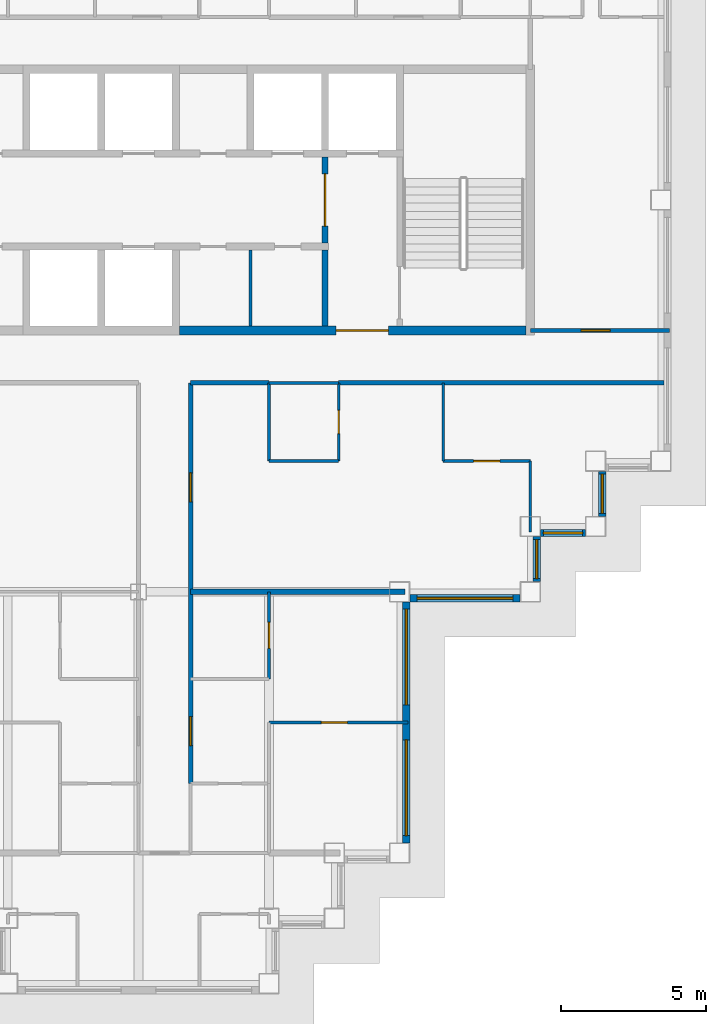
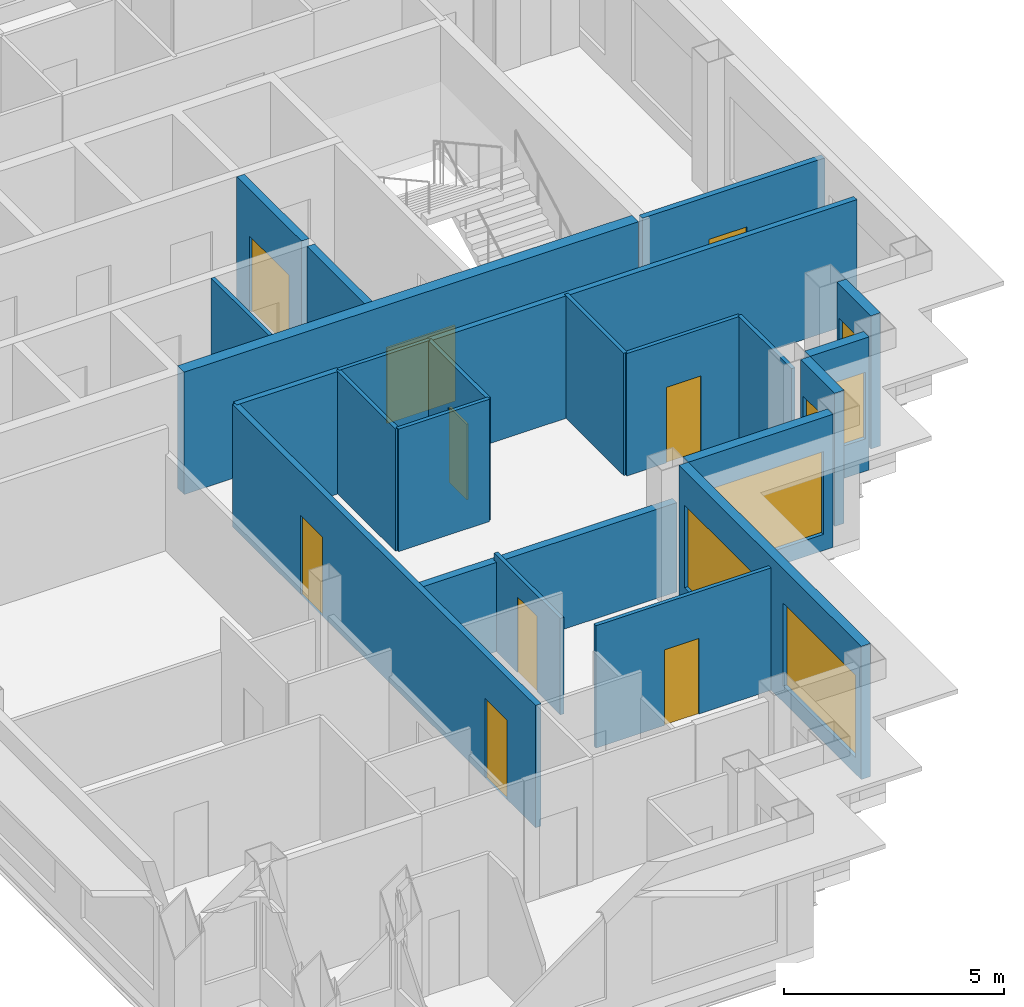
# One storey, part 5 of 12: 23 walls, 9 doors, 6 windows, 15 openings.
"""IFC4 building model written with IfcOpenShell, lengths in metres."""

import ifcopenshell
import ifcopenshell.guid

model = None  # the IFC model being written
_history = None  # IfcOwnerHistory: only IFC2X3 demands one
_inside = {}  # id of a spatial element -> (the spatial element, [elements in it])
_under = {}  # id of a project, library or spatial element -> (it, [spatial elements below it])
_declared = {}  # id of a project -> (the project, [libraries it declares])
_typed = {}  # id of a type object -> (the type object, [elements of that type])
_made_of = {}  # id of a material, layer set ... -> (it, [elements and type objects made of it])


def new_model(schema):
    """Start an empty IFC model of exactly this schema.

    Asked for "IFC4X3", IfcOpenShell would pick the latest addendum, in which some entities
    have other attributes; the version numbers below select the first issue.
    IFC2X3 requires an IfcOwnerHistory on every rooted entity: one is made here for all.
    """
    global model, _history
    if schema == "IFC4X3":
        model = ifcopenshell.file(schema_version=(4, 3, 0, 0))
    else:
        model = ifcopenshell.file(schema=schema)
    _inside.clear()
    _under.clear()
    _declared.clear()
    _typed.clear()
    _made_of.clear()
    _history = None
    if model.schema == "IFC2X3":
        org = make("IfcOrganization", Name="unknown")
        user = make(
            "IfcPersonAndOrganization",
            ThePerson=make("IfcPerson", FamilyName="unknown"),
            TheOrganization=org,
        )
        app = make(
            "IfcApplication",
            ApplicationDeveloper=org,
            Version="unknown",
            ApplicationFullName="unknown",
            ApplicationIdentifier="unknown",
        )
        _history = make(
            "IfcOwnerHistory",
            OwningUser=user,
            OwningApplication=app,
            ChangeAction="ADDED",
            CreationDate=0,
        )
    return model


def make(cls, **values):
    """One entity of the class cls with the attributes given. An attribute that is None is left unset."""
    return model.create_entity(
        cls, **{name: value for name, value in values.items() if value is not None}
    )


def rooted(cls, **values):
    """An entity with a GlobalId (a new one), such as an element, a storey or a relation."""
    return make(cls, GlobalId=ifcopenshell.guid.new(), OwnerHistory=_history, **values)


def si_unit(unit_type, name, prefix=None):
    """IfcSIUnit, for example si_unit("LENGTHUNIT", "METRE", prefix="MILLI")."""
    return make("IfcSIUnit", UnitType=unit_type, Prefix=prefix, Name=name)


def assignment(units):
    """IfcUnitAssignment: the units of a project."""
    return None if units is None else make("IfcUnitAssignment", Units=units)


def point(xyz):
    """IfcCartesianPoint."""
    return None if xyz is None else make("IfcCartesianPoint", Coordinates=xyz)


def direction(xyz):
    """IfcDirection."""
    return None if xyz is None else make("IfcDirection", DirectionRatios=xyz)


def frame(location, z_axis=None, x_axis=None):
    """IfcAxis2Placement3D, a coordinate frame: its origin and axes. An axis left out is left unset."""
    return make(
        "IfcAxis2Placement3D",
        Location=point(location),
        Axis=direction(z_axis),
        RefDirection=direction(x_axis),
    )


def frame_2d(location, x_axis=None):
    """IfcAxis2Placement2D, a coordinate frame in the plane: its origin and x axis."""
    return make(
        "IfcAxis2Placement2D", Location=point(location), RefDirection=direction(x_axis)
    )


def origin():
    """The frame at (0, 0, 0) with its axes left unset."""
    return frame((0.0, 0.0, 0.0))


def place(relative_to, where):
    """IfcLocalPlacement: puts the frame where relative to a parent placement (None: the world)."""
    return make(
        "IfcLocalPlacement", PlacementRelTo=relative_to, RelativePlacement=where
    )


def context(
    kind, dimensions, precision=None, world=None, true_north=None, identifier=None
):
    """IfcGeometricRepresentationContext, for example the 3D "Model" context."""
    return make(
        "IfcGeometricRepresentationContext",
        ContextIdentifier=identifier,
        ContextType=kind,
        CoordinateSpaceDimension=dimensions,
        Precision=precision,
        WorldCoordinateSystem=world,
        TrueNorth=true_north,
    )


def subcontext(parent, identifier, kind, view, scale=None):
    """IfcGeometricRepresentationSubContext, for example "Body" below "Model"."""
    return make(
        "IfcGeometricRepresentationSubContext",
        ContextIdentifier=identifier,
        ContextType=kind,
        ParentContext=parent,
        TargetScale=scale,
        TargetView=view,
    )


def project(units=None, contexts=None):
    """IfcProject with its units and contexts."""
    return rooted(
        "IfcProject",
        Name="project",
        RepresentationContexts=contexts,
        UnitsInContext=assignment(units),
    )


def spatial(cls, under=None, at=None, **own):
    """A site, building, storey or space (cls), placed at a placement, below another one or the project."""
    s = rooted(cls, ObjectPlacement=at, **own)
    if under is not None:
        _under.setdefault(under.id(), (under, []))[1].append(s)
    return s


def profile(cls, at=None, kind="AREA", **sizes):
    """A parametric profile (cls). Its sizes go by their IFC names, for example OverallWidth=200.0."""
    return make(cls, ProfileType=kind, Position=at, **sizes)


def rectangle(**sizes):
    """IfcRectangleProfileDef."""
    return profile("IfcRectangleProfileDef", **sizes)


def extrude(swept, where, along, depth):
    """IfcExtrudedAreaSolid: the profile swept, set in the frame where, extruded along a direction by depth."""
    return make(
        "IfcExtrudedAreaSolid",
        SweptArea=swept,
        Position=where,
        ExtrudedDirection=direction(along),
        Depth=depth,
    )


def shape(context_of_items, identifier, shape_type, items):
    """IfcShapeRepresentation: the items that make up one representation, for example the "Body"."""
    return make(
        "IfcShapeRepresentation",
        ContextOfItems=context_of_items,
        RepresentationIdentifier=identifier,
        RepresentationType=shape_type,
        Items=items,
    )


def material(Name=None, Category=None):
    """IfcMaterial."""
    return make("IfcMaterial", Name=Name, Category=Category)


def layer(
    of_material, thickness, ventilated=None, Name=None, Category=None, Priority=None
):
    """IfcMaterialLayer: one layer of a wall or slab, of a material (None: an air gap)."""
    return make(
        "IfcMaterialLayer",
        Material=of_material,
        LayerThickness=thickness,
        IsVentilated=ventilated,
        Name=Name,
        Category=Category,
        Priority=Priority,
    )


def layer_set(layers, Name=None):
    """IfcMaterialLayerSet."""
    return make("IfcMaterialLayerSet", MaterialLayers=layers, LayerSetName=Name)


def made_of(thing, what):
    """Note that an element or type object is made of a material, layer set ...; save() writes the relation."""
    if what is not None:
        _made_of.setdefault(what.id(), (what, []))[1].append(thing)
    return thing


def type_object(cls, material=None, **own):
    """A type object (cls), such as IfcWallType, which elements share."""
    return made_of(rooted(cls, **own), material)


def element(
    cls,
    number,
    at=None,
    inside=None,
    cuts=None,
    type_object=None,
    material=None,
    context=None,
    identifier="Body",
    shape_type=None,
    held_by="IfcProductDefinitionShape",
    body=None,
    shapes=None,
    **own,
):
    """One element of the class cls, such as IfcWall. Its Tag is "e" and its number.

    at: its placement. inside: the storey or other place that contains it. cuts: it is an
    opening in that element (IfcRelVoidsElement). A single representation is given by context,
    identifier, shape_type and body (its items); several are given by shapes. held_by: the class
    of the entity that holds the representations. save() writes the other relations.
    """
    e = rooted(cls, Tag="e%d" % number, ObjectPlacement=at, **own)
    if body is not None:
        shapes = [shape(context, identifier, shape_type, body)]
    if shapes is not None:
        e.Representation = make(held_by, Representations=shapes)
    if inside is not None:
        _inside.setdefault(inside.id(), (inside, []))[1].append(e)
    if cuts is not None:
        rooted(
            "IfcRelVoidsElement", RelatingBuildingElement=cuts, RelatedOpeningElement=e
        )
    if type_object is not None:
        _typed.setdefault(type_object.id(), (type_object, []))[1].append(e)
    return made_of(e, material)


def fill(opening, filler):
    """IfcRelFillsElement: the door or window that sits in an opening."""
    return rooted(
        "IfcRelFillsElement",
        RelatingOpeningElement=opening,
        RelatedBuildingElement=filler,
    )


def aggregate(whole, parts):
    """IfcRelAggregates: a whole, such as a stair, and the parts it consists of."""
    return rooted("IfcRelAggregates", RelatingObject=whole, RelatedObjects=parts)


def save(model, path):
    """Write the relations noted so far, then the file.

    IfcRelAggregates (storeys below a building ...), IfcRelContainedInSpatialStructure (elements
    in a storey), IfcRelDefinesByType, IfcRelAssociatesMaterial and IfcRelDeclares: one each for
    every whole, place, type object, material and project.
    """
    for whole, parts in _under.values():
        aggregate(whole, parts)
    for where, things in _inside.values():
        rooted(
            "IfcRelContainedInSpatialStructure",
            RelatedElements=things,
            RelatingStructure=where,
        )
    for kind, things in _typed.values():
        rooted("IfcRelDefinesByType", RelatedObjects=things, RelatingType=kind)
    for what, things in _made_of.values():
        rooted("IfcRelAssociatesMaterial", RelatedObjects=things, RelatingMaterial=what)
    for by, libraries in _declared.values():
        rooted("IfcRelDeclares", RelatingContext=by, RelatedDefinitions=libraries)
    model.write(path)


model = new_model("IFC4")

# Units and contexts
model_context = context("Model", 3, precision=1e-05, world=origin(), true_north=direction((0.0, 1.0)))
body_context = subcontext(model_context, "Body", "Model", "MODEL_VIEW")
ifc_project = project(units=[si_unit("LENGTHUNIT", "METRE"), si_unit("AREAUNIT", "SQUARE_METRE"), si_unit("VOLUMEUNIT", "CUBIC_METRE"), si_unit("PLANEANGLEUNIT", "RADIAN"), si_unit("MASSUNIT", "GRAM", prefix="KILO")], contexts=[model_context])

# Site, building, storey
site_placement = place(None, origin())
site = spatial("IfcSite", under=ifc_project, at=site_placement, CompositionType="ELEMENT")
building_placement = place(site_placement, origin())
building = spatial("IfcBuilding", under=site, at=building_placement, Name="Caravel Reach Hotel and Residences", CompositionType="ELEMENT")
storey_placement = place(building_placement, frame((0.0, 0.0, 196.10009765625)))
storey = spatial("IfcBuildingStorey", under=building, at=storey_placement, Name="L49", CompositionType="ELEMENT", Elevation=196.10009765625)

# Walls
ifc_material_1 = material(Name="Gypsum board on steel stud", Category="steel")
ifc_layer_1 = layer(ifc_material_1, 0.10009765625)
ifc_layer_set_1 = layer_set([ifc_layer_1], Name="Bathroom pod wall 100 mm")
wall_type_1 = type_object("IfcWallType", Name="Bathroom pod wall 100 mm", PredefinedType="PARTITIONING", material=ifc_layer_set_1)
for number, where, z_axis, x_axis, name in (
    (1, (36.0, 18.0, 0.0), (0.0, 0.0, 1.0), (1.0, 0.0, 0.0), "L49 wall w077"),
    (2, (36.0, 20.699951171875, 0.0), (0.0, 0.0, 1.0), (1.0, 0.0, 0.0), "L49 wall w079"),
):
    element("IfcWall", number, at=place(storey_placement, frame(where, z_axis=z_axis, x_axis=x_axis)), inside=storey, type_object=wall_type_1, Name=name, PredefinedType="PARTITIONING", context=body_context, shape_type="SweptSolid", body=[
        extrude(rectangle(XDim=2.39990234375, YDim=0.10009765625, at=frame_2d((1.199951171875, 0.0))), origin(), (0.0, 0.0, 1.0), 3.39990234375),
    ])
wall_1_placement = place(storey_placement, frame((36.0, 18.0, 0.0), z_axis=(0.0, 0.0, 1.0), x_axis=(0.0, 1.0, 0.0)))
element("IfcWall", 3, at=wall_1_placement, inside=storey, type_object=wall_type_1, Name="L49 wall w101", PredefinedType="PARTITIONING", context=body_context, shape_type="SweptSolid", body=[
    extrude(rectangle(XDim=2.698974609375, YDim=0.10009765625, at=frame_2d((1.349609375, 0.0))), origin(), (0.0, 0.0, 1.0), 3.39990234375),
])

# Wall, opening, door
wall_2_placement = place(storey_placement, frame((38.39990234375, 18.0, 0.0), z_axis=(0.0, 0.0, 1.0), x_axis=(0.0, 1.0, 0.0)))
wall_2 = element("IfcWall", 4, at=wall_2_placement, inside=storey, type_object=wall_type_1, Name="L49 wall w102", PredefinedType="PARTITIONING", context=body_context, shape_type="SweptSolid", body=[
    extrude(rectangle(XDim=2.699951171875, YDim=0.10009765625, at=frame_2d((1.35009765625, 0.0))), origin(), (0.0, 0.0, 1.0), 3.39990234375),
])
opening_1_placement = place(wall_2_placement, frame((0.949951171875, 0.0, 0.0)))
opening_1 = element("IfcOpeningElement", 5, at=opening_1_placement, cuts=wall_2, Name="Opening D49-033", PredefinedType="OPENING", context=body_context, shape_type="SweptSolid", body=[
    extrude(rectangle(XDim=0.800048828125, YDim=2.10009765625, at=frame_2d((0.39990234375, 1.050048828125))), frame((0.0, 0.06005859375, 0.0), z_axis=(0.0, -1.0, 0.0), x_axis=(1.0, 0.0, 0.0)), (0.0, 0.0, 1.0), 0.1201171875),
])
ifc_material_2 = material(Name="Timber and steel door leaf", Category="steel")
door_type_1 = type_object("IfcDoorType", Name="Bathroom door 800 x 2100", OperationType="SINGLE_SWING_LEFT", PredefinedType="DOOR", material=ifc_material_2)
door_1_placement = place(opening_1_placement, origin())
door_1 = element("IfcDoor", 6, at=door_1_placement, inside=storey, type_object=door_type_1, Name="door D49-033", OperationType="SINGLE_SWING_LEFT", OverallHeight=2.10009765625, OverallWidth=0.800048828125, PredefinedType="DOOR", context=body_context, shape_type="SweptSolid", body=[
    extrude(rectangle(XDim=0.800048828125, YDim=2.10009765625, at=frame_2d((0.39990234375, 1.050048828125))), frame((0.0, 0.02490234375, 0.0), z_axis=(0.0, -1.0, 0.0), x_axis=(1.0, 0.0, 0.0)), (0.0, 0.0, 1.0), 0.050048828125),
])
fill(opening_1, door_1)

# Wall
ifc_material_3 = material(Name="Autoclaved aerated block wall")
ifc_layer_2 = layer(ifc_material_3, 0.199951171875)
ifc_layer_set_2 = layer_set([ifc_layer_2], Name="Compartment wall 200 mm EI 120")
wall_type_2 = type_object("IfcWallType", Name="Compartment wall 200 mm EI 120", PredefinedType="PARTITIONING", material=ifc_layer_set_2)
wall_3_placement = place(storey_placement, frame((37.928466796875, 22.64990234375, 0.0), z_axis=(0.0, 0.0, 1.0), x_axis=(0.0, 1.0, 0.0)))
element("IfcWall", 7, at=wall_3_placement, inside=storey, type_object=wall_type_2, Name="L49 store partition", PredefinedType="PARTITIONING", context=body_context, shape_type="SweptSolid", body=[
    extrude(rectangle(XDim=2.625, YDim=0.199951171875, at=frame_2d((1.3125, 0.0))), origin(), (0.0, 0.0, 1.0), 3.39990234375),
])

# Wall, opening, door
ifc_material_4 = material(Name="Concrete C60", Category="concrete")
ifc_layer_3 = layer(ifc_material_4, 0.300048828125)
ifc_layer_set_3 = layer_set([ifc_layer_3], Name="Core wall 300 mm EI 120")
wall_type_3 = type_object("IfcWallType", Name="Core wall 300 mm EI 120", PredefinedType="SHEAR", material=ifc_layer_set_3)
wall_4_placement = place(storey_placement, frame((32.91064453125, 22.5, 0.0), z_axis=(0.0, 0.0, 1.0), x_axis=(1.0, 0.0, 0.0)))
wall_4 = element("IfcWall", 8, at=wall_4_placement, inside=storey, type_object=wall_type_3, Name="L49 core wall S3", PredefinedType="SHEAR", context=body_context, shape_type="SweptSolid", body=[
    extrude(rectangle(XDim=11.939453125, YDim=0.300048828125, at=frame_2d((5.9697265625, 0.0))), origin(), (0.0, 0.0, 1.0), 3.39990234375),
])
opening_2_placement = place(wall_4_placement, frame((5.403564453125, 0.0, 0.0)))
opening_2 = element("IfcOpeningElement", 9, at=opening_2_placement, cuts=wall_4, Name="Opening D49-016", PredefinedType="OPENING", context=body_context, shape_type="SweptSolid", body=[
    extrude(rectangle(XDim=1.800048828125, YDim=2.10009765625, at=frame_2d((0.89990234375, 1.050048828125))), frame((0.0, 0.159912109375, 0.0), z_axis=(0.0, -1.0, 0.0), x_axis=(1.0, 0.0, 0.0)), (0.0, 0.0, 1.0), 0.320068359375),
])
ifc_material_5 = material(Name="Steel fire door leaf", Category="steel")
door_type_2 = type_object("IfcDoorType", Name="Fire lobby door pair 1800 x 2100 EI 90", OperationType="DOUBLE_DOOR_SINGLE_SWING", PredefinedType="DOOR", material=ifc_material_5)
door_2_placement = place(opening_2_placement, origin())
door_2 = element("IfcDoor", 10, at=door_2_placement, inside=storey, type_object=door_type_2, Name="lobby S door pair to corridor", OperationType="DOUBLE_DOOR_SINGLE_SWING", OverallHeight=2.10009765625, OverallWidth=1.800048828125, PredefinedType="DOOR", context=body_context, shape_type="SweptSolid", body=[
    extrude(rectangle(XDim=1.800048828125, YDim=2.10009765625, at=frame_2d((0.89990234375, 1.050048828125))), frame((0.0, 0.02490234375, 0.0), z_axis=(0.0, -1.0, 0.0), x_axis=(1.0, 0.0, 0.0)), (0.0, 0.0, 1.0), 0.050048828125),
])
fill(opening_2, door_2)

# Walls
ifc_material_6 = material(Name="Gypsum board on steel stud, fire-rated", Category="steel")
ifc_layer_4 = layer(ifc_material_6, 0.14990234375)
ifc_layer_set_4 = layer_set([ifc_layer_4], Name="Corridor wall 150 mm EI 60")
wall_type_4 = type_object("IfcWallType", Name="Corridor wall 150 mm EI 60", PredefinedType="PARTITIONING", material=ifc_layer_set_4)
wall_5_placement = place(storey_placement, frame((33.301025390625, 20.699951171875, 0.0), z_axis=(0.0, 0.0, 1.0), x_axis=(1.0, 0.0, 0.0)))
element("IfcWall", 11, at=wall_5_placement, inside=storey, type_object=wall_type_4, Name="L49 wall w001", PredefinedType="PARTITIONING", context=body_context, shape_type="SweptSolid", body=[
    extrude(rectangle(XDim=2.697998046875, YDim=0.14990234375, at=frame_2d((1.34912109375, 0.0))), origin(), (0.0, 0.0, 1.0), 3.39990234375),
])
wall_6_placement = place(storey_placement, frame((38.39990234375, 20.699951171875, 0.0), z_axis=(0.0, 0.0, 1.0), x_axis=(1.0, 0.0, 0.0)))
element("IfcWall", 12, at=wall_6_placement, inside=storey, type_object=wall_type_4, Name="L49 wall w002", PredefinedType="PARTITIONING", context=body_context, shape_type="SweptSolid", body=[
    extrude(rectangle(XDim=11.2001953125, YDim=0.14990234375, at=frame_2d((5.60009765625, 0.0))), origin(), (0.0, 0.0, 1.0), 3.39990234375),
])

# Wall, opening, door
wall_7_placement = place(storey_placement, frame((45.0, 22.5, 0.0), z_axis=(0.0, 0.0, 1.0), x_axis=(1.0, 0.0, 0.0)))
wall_7 = element("IfcWall", 13, at=wall_7_placement, inside=storey, type_object=wall_type_4, Name="L49 wall w006", PredefinedType="PARTITIONING", context=body_context, shape_type="SweptSolid", body=[
    extrude(rectangle(XDim=4.7900390625, YDim=0.14990234375, at=frame_2d((2.39501953125, 0.0))), origin(), (0.0, 0.0, 1.0), 3.39990234375),
])
opening_3_placement = place(wall_7_placement, frame((1.75, 0.0, 0.0)))
opening_3 = element("IfcOpeningElement", 14, at=opening_3_placement, cuts=wall_7, Name="Opening D49-046", PredefinedType="OPENING", context=body_context, shape_type="SweptSolid", body=[
    extrude(rectangle(XDim=1.0, YDim=2.199951171875, at=frame_2d((0.5, 1.10009765625))), frame((0.0, 0.0849609375, 0.0), z_axis=(0.0, -1.0, 0.0), x_axis=(1.0, 0.0, 0.0)), (0.0, 0.0, 1.0), 0.169921875),
])
ifc_material_7 = material(Name="Steel fire door leaf", Category="steel")
door_type_3 = type_object("IfcDoorType", Name="Flat entrance door 1000 x 2200 EI 60", OperationType="SINGLE_SWING_LEFT", PredefinedType="DOOR", material=ifc_material_7)
door_3_placement = place(opening_3_placement, origin())
door_3 = element("IfcDoor", 15, at=door_3_placement, inside=storey, type_object=door_type_3, Name="door D49-046", OperationType="SINGLE_SWING_LEFT", OverallHeight=2.199951171875, OverallWidth=1.0, PredefinedType="DOOR", context=body_context, shape_type="SweptSolid", body=[
    extrude(rectangle(XDim=1.0, YDim=2.199951171875, at=frame_2d((0.5, 1.10009765625))), frame((0.0, 0.02490234375, 0.0), z_axis=(0.0, -1.0, 0.0), x_axis=(1.0, 0.0, 0.0)), (0.0, 0.0, 1.0), 0.050048828125),
])
fill(opening_3, door_3)

# Wall, openings, doors
wall_8_placement = place(storey_placement, frame((33.300048828125, 6.89990234375, 0.0), z_axis=(0.0, 0.0, 1.0), x_axis=(0.0, 1.0, 0.0)))
wall_8 = element("IfcWall", 16, at=wall_8_placement, inside=storey, type_object=wall_type_4, Name="L49 wall w023", PredefinedType="PARTITIONING", context=body_context, shape_type="SweptSolid", body=[
    extrude(rectangle(XDim=13.799072265625, YDim=0.14990234375, at=frame_2d((6.8994140625, 0.0))), origin(), (0.0, 0.0, 1.0), 3.39990234375),
])
opening_4_placement = place(wall_8_placement, frame((9.69921875, 0.0, 0.0)))
opening_4 = element("IfcOpeningElement", 17, at=opening_4_placement, cuts=wall_8, Name="Opening D49-032", PredefinedType="OPENING", context=body_context, shape_type="SweptSolid", body=[
    extrude(rectangle(XDim=1.0, YDim=2.199951171875, at=frame_2d((0.5, 1.10009765625))), frame((0.0, 0.0849609375, 0.0), z_axis=(0.0, -1.0, 0.0), x_axis=(1.0, 0.0, 0.0)), (0.0, 0.0, 1.0), 0.169921875),
])
opening_5_placement = place(wall_8_placement, frame((1.300048828125, 0.0, 0.0)))
opening_5 = element("IfcOpeningElement", 18, at=opening_5_placement, cuts=wall_8, Name="Opening D49-039", PredefinedType="OPENING", context=body_context, shape_type="SweptSolid", body=[
    extrude(rectangle(XDim=1.0, YDim=2.199951171875, at=frame_2d((0.5, 1.10009765625))), frame((0.0, 0.0849609375, 0.0), z_axis=(0.0, -1.0, 0.0), x_axis=(1.0, 0.0, 0.0)), (0.0, 0.0, 1.0), 0.169921875),
])
door_4_placement = place(opening_4_placement, origin())
door_4 = element("IfcDoor", 19, at=door_4_placement, inside=storey, type_object=door_type_3, Name="door D49-032", OperationType="SINGLE_SWING_LEFT", OverallHeight=2.199951171875, OverallWidth=1.0, PredefinedType="DOOR", context=body_context, shape_type="SweptSolid", body=[
    extrude(rectangle(XDim=1.0, YDim=2.199951171875, at=frame_2d((0.5, 1.10009765625))), frame((0.0, 0.02490234375, 0.0), z_axis=(0.0, -1.0, 0.0), x_axis=(1.0, 0.0, 0.0)), (0.0, 0.0, 1.0), 0.050048828125),
])
fill(opening_4, door_4)
door_5_placement = place(opening_5_placement, origin())
door_5 = element("IfcDoor", 20, at=door_5_placement, inside=storey, type_object=door_type_3, Name="door D49-039", OperationType="SINGLE_SWING_LEFT", OverallHeight=2.199951171875, OverallWidth=1.0, PredefinedType="DOOR", context=body_context, shape_type="SweptSolid", body=[
    extrude(rectangle(XDim=1.0, YDim=2.199951171875, at=frame_2d((0.5, 1.10009765625))), frame((0.0, 0.02490234375, 0.0), z_axis=(0.0, -1.0, 0.0), x_axis=(1.0, 0.0, 0.0)), (0.0, 0.0, 1.0), 0.050048828125),
])
fill(opening_5, door_5)

# Wall, opening, window
ifc_material_8 = material(Name="Insulated rainscreen wall, aluminium cladding", Category="aluminium")
ifc_layer_5 = layer(ifc_material_8, 0.25)
ifc_layer_set_5 = layer_set([ifc_layer_5], Name="EW1 Tower rainscreen wall")
wall_type_5 = type_object("IfcWallType", Name="EW1 Tower rainscreen wall", PredefinedType="SOLIDWALL", material=ifc_layer_set_5)
wall_9_placement = place(storey_placement, frame((40.85009765625, 13.27490234375, 0.0), z_axis=(0.0, 0.0, 1.0), x_axis=(1.0, 0.0, 0.0)))
wall_9 = element("IfcWall", 21, at=wall_9_placement, inside=storey, type_object=wall_type_5, Name="External wall L49 S1.1", PredefinedType="SOLIDWALL", context=body_context, shape_type="SweptSolid", body=[
    extrude(rectangle(XDim=3.7998046875, YDim=0.25, at=frame_2d((1.89990234375, 0.0))), origin(), (0.0, 0.0, 1.0), 3.699951171875),
])
opening_6_placement = place(wall_9_placement, frame((0.25, 0.0, 0.449951171875)))
opening_6 = element("IfcOpeningElement", 22, at=opening_6_placement, cuts=wall_9, Name="Opening WN15", PredefinedType="OPENING", context=body_context, shape_type="SweptSolid", body=[
    extrude(rectangle(XDim=3.300048828125, YDim=2.300048828125, at=frame_2d((1.64990234375, 1.14990234375))), frame((0.0, 0.135009765625, 0.0), z_axis=(0.0, -1.0, 0.0), x_axis=(1.0, 0.0, 0.0)), (0.0, 0.0, 1.0), 0.27001953125),
])
ifc_material_9 = material(Name="Dark low-e glazing in black aluminium frame", Category="aluminium")
window_type_1 = type_object("IfcWindowType", Name="Residence living window 3300 x 2300", PartitioningType="SINGLE_PANEL", PredefinedType="WINDOW", material=ifc_material_9)
window_1_placement = place(opening_6_placement, origin())
window_1 = element("IfcWindow", 23, at=window_1_placement, inside=storey, type_object=window_type_1, Name="Window L49 S1.1.1", OverallHeight=2.300048828125, OverallWidth=3.300048828125, PartitioningType="SINGLE_PANEL", PredefinedType="WINDOW", context=body_context, shape_type="SweptSolid", body=[
    extrude(rectangle(XDim=3.300048828125, YDim=2.300048828125, at=frame_2d((1.64990234375, 1.14990234375))), frame((0.0, 0.030029296875, 0.0), z_axis=(0.0, -1.0, 0.0), x_axis=(1.0, 0.0, 0.0)), (0.0, 0.0, 1.0), 0.06005859375),
])
fill(opening_6, window_1)

wall_10_placement = place(storey_placement, frame((45.22509765625, 13.85009765625, 0.0), z_axis=(0.0, 0.0, 1.0), x_axis=(0.0, 1.0, 0.0)))
wall_10 = element("IfcWall", 24, at=wall_10_placement, inside=storey, type_object=wall_type_5, Name="External wall L49 E2.1", PredefinedType="SOLIDWALL", context=body_context, shape_type="SweptSolid", body=[
    extrude(rectangle(XDim=1.5498046875, YDim=0.25, at=frame_2d((0.77490234375, 0.0))), origin(), (0.0, 0.0, 1.0), 3.699951171875),
])
opening_7_placement = place(wall_10_placement, frame((0.10009765625, 0.0, 0.89990234375)))
opening_7 = element("IfcOpeningElement", 25, at=opening_7_placement, cuts=wall_10, Name="Opening WN21", PredefinedType="OPENING", context=body_context, shape_type="SweptSolid", body=[
    extrude(rectangle(XDim=1.35009765625, YDim=1.85009765625, at=frame_2d((0.675048828125, 0.925048828125))), frame((0.0, 0.135009765625, 0.0), z_axis=(0.0, -1.0, 0.0), x_axis=(1.0, 0.0, 0.0)), (0.0, 0.0, 1.0), 0.27001953125),
])
ifc_material_10 = material(Name="Dark low-e glazing in black aluminium frame", Category="aluminium")
window_type_2 = type_object("IfcWindowType", Name="Residence bedroom window 1350 x 1850", PartitioningType="SINGLE_PANEL", PredefinedType="WINDOW", material=ifc_material_10)
window_2_placement = place(opening_7_placement, origin())
window_2 = element("IfcWindow", 26, at=window_2_placement, inside=storey, type_object=window_type_2, Name="Window L49 E2.1.1", OverallHeight=1.85009765625, OverallWidth=1.35009765625, PartitioningType="SINGLE_PANEL", PredefinedType="WINDOW", context=body_context, shape_type="SweptSolid", body=[
    extrude(rectangle(XDim=1.35009765625, YDim=1.85009765625, at=frame_2d((0.675048828125, 0.925048828125))), frame((0.0, 0.030029296875, 0.0), z_axis=(0.0, -1.0, 0.0), x_axis=(1.0, 0.0, 0.0)), (0.0, 0.0, 1.0), 0.06005859375),
])
fill(opening_7, window_2)

wall_11_placement = place(storey_placement, frame((45.35009765625, 15.52490234375, 0.0), z_axis=(0.0, 0.0, 1.0), x_axis=(1.0, 0.0, 0.0)))
wall_11 = element("IfcWall", 27, at=wall_11_placement, inside=storey, type_object=wall_type_5, Name="External wall L49 S3.1", PredefinedType="SOLIDWALL", context=body_context, shape_type="SweptSolid", body=[
    extrude(rectangle(XDim=1.5498046875, YDim=0.25, at=frame_2d((0.77490234375, 0.0))), origin(), (0.0, 0.0, 1.0), 3.699951171875),
])
opening_8_placement = place(wall_11_placement, frame((0.10009765625, 0.0, 0.89990234375)))
opening_8 = element("IfcOpeningElement", 28, at=opening_8_placement, cuts=wall_11, Name="Opening WN21", PredefinedType="OPENING", context=body_context, shape_type="SweptSolid", body=[
    extrude(rectangle(XDim=1.35009765625, YDim=1.85009765625, at=frame_2d((0.675048828125, 0.925048828125))), frame((0.0, 0.135009765625, 0.0), z_axis=(0.0, -1.0, 0.0), x_axis=(1.0, 0.0, 0.0)), (0.0, 0.0, 1.0), 0.27001953125),
])
window_3_placement = place(opening_8_placement, origin())
window_3 = element("IfcWindow", 29, at=window_3_placement, inside=storey, type_object=window_type_2, Name="Window L49 S3.1.1", OverallHeight=1.85009765625, OverallWidth=1.35009765625, PartitioningType="SINGLE_PANEL", PredefinedType="WINDOW", context=body_context, shape_type="SweptSolid", body=[
    extrude(rectangle(XDim=1.35009765625, YDim=1.85009765625, at=frame_2d((0.675048828125, 0.925048828125))), frame((0.0, 0.030029296875, 0.0), z_axis=(0.0, -1.0, 0.0), x_axis=(1.0, 0.0, 0.0)), (0.0, 0.0, 1.0), 0.06005859375),
])
fill(opening_8, window_3)

wall_12_placement = place(storey_placement, frame((47.47509765625, 16.10009765625, 0.0), z_axis=(0.0, 0.0, 1.0), x_axis=(0.0, 1.0, 0.0)))
wall_12 = element("IfcWall", 30, at=wall_12_placement, inside=storey, type_object=wall_type_5, Name="External wall L49 E4.1", PredefinedType="SOLIDWALL", context=body_context, shape_type="SweptSolid", body=[
    extrude(rectangle(XDim=1.5498046875, YDim=0.25, at=frame_2d((0.77490234375, 0.0))), origin(), (0.0, 0.0, 1.0), 3.699951171875),
])
opening_9_placement = place(wall_12_placement, frame((0.10009765625, 0.0, 0.89990234375)))
opening_9 = element("IfcOpeningElement", 31, at=opening_9_placement, cuts=wall_12, Name="Opening WN21", PredefinedType="OPENING", context=body_context, shape_type="SweptSolid", body=[
    extrude(rectangle(XDim=1.35009765625, YDim=1.85009765625, at=frame_2d((0.675048828125, 0.925048828125))), frame((0.0, 0.135009765625, 0.0), z_axis=(0.0, -1.0, 0.0), x_axis=(1.0, 0.0, 0.0)), (0.0, 0.0, 1.0), 0.27001953125),
])
window_4_placement = place(opening_9_placement, origin())
window_4 = element("IfcWindow", 32, at=window_4_placement, inside=storey, type_object=window_type_2, Name="Window L49 E4.1.1", OverallHeight=1.85009765625, OverallWidth=1.35009765625, PartitioningType="SINGLE_PANEL", PredefinedType="WINDOW", context=body_context, shape_type="SweptSolid", body=[
    extrude(rectangle(XDim=1.35009765625, YDim=1.85009765625, at=frame_2d((0.675048828125, 0.925048828125))), frame((0.0, 0.030029296875, 0.0), z_axis=(0.0, -1.0, 0.0), x_axis=(1.0, 0.0, 0.0)), (0.0, 0.0, 1.0), 0.06005859375),
])
fill(opening_9, window_4)

# Wall, openings, windows
wall_13_placement = place(storey_placement, frame((40.72509765625, 4.85009765625, 0.0), z_axis=(0.0, 0.0, 1.0), x_axis=(0.0, 1.0, 0.0)))
wall_13 = element("IfcWall", 33, at=wall_13_placement, inside=storey, type_object=wall_type_5, Name="External wall L49 E40.1", PredefinedType="SOLIDWALL", context=body_context, shape_type="SweptSolid", body=[
    extrude(rectangle(XDim=8.2998046875, YDim=0.25, at=frame_2d((4.14990234375, 0.0))), origin(), (0.0, 0.0, 1.0), 3.699951171875),
])
opening_10_placement = place(wall_13_placement, frame((0.25, 0.0, 0.449951171875)))
opening_10 = element("IfcOpeningElement", 34, at=opening_10_placement, cuts=wall_13, Name="Opening WN15", PredefinedType="OPENING", context=body_context, shape_type="SweptSolid", body=[
    extrude(rectangle(XDim=3.300048828125, YDim=2.300048828125, at=frame_2d((1.64990234375, 1.14990234375))), frame((0.0, 0.135009765625, 0.0), z_axis=(0.0, -1.0, 0.0), x_axis=(1.0, 0.0, 0.0)), (0.0, 0.0, 1.0), 0.27001953125),
])
opening_11_placement = place(wall_13_placement, frame((4.75, 0.0, 0.449951171875)))
opening_11 = element("IfcOpeningElement", 35, at=opening_11_placement, cuts=wall_13, Name="Opening WN15", PredefinedType="OPENING", context=body_context, shape_type="SweptSolid", body=[
    extrude(rectangle(XDim=3.300048828125, YDim=2.300048828125, at=frame_2d((1.64990234375, 1.14990234375))), frame((0.0, 0.135009765625, 0.0), z_axis=(0.0, -1.0, 0.0), x_axis=(1.0, 0.0, 0.0)), (0.0, 0.0, 1.0), 0.27001953125),
])
window_5_placement = place(opening_10_placement, origin())
window_5 = element("IfcWindow", 36, at=window_5_placement, inside=storey, type_object=window_type_1, Name="Window L49 E40.1.1", OverallHeight=2.300048828125, OverallWidth=3.300048828125, PartitioningType="SINGLE_PANEL", PredefinedType="WINDOW", context=body_context, shape_type="SweptSolid", body=[
    extrude(rectangle(XDim=3.300048828125, YDim=2.300048828125, at=frame_2d((1.64990234375, 1.14990234375))), frame((0.0, 0.030029296875, 0.0), z_axis=(0.0, -1.0, 0.0), x_axis=(1.0, 0.0, 0.0)), (0.0, 0.0, 1.0), 0.06005859375),
])
fill(opening_10, window_5)
window_6_placement = place(opening_11_placement, origin())
window_6 = element("IfcWindow", 37, at=window_6_placement, inside=storey, type_object=window_type_1, Name="Window L49 E40.1.2", OverallHeight=2.300048828125, OverallWidth=3.300048828125, PartitioningType="SINGLE_PANEL", PredefinedType="WINDOW", context=body_context, shape_type="SweptSolid", body=[
    extrude(rectangle(XDim=3.300048828125, YDim=2.300048828125, at=frame_2d((1.64990234375, 1.14990234375))), frame((0.0, 0.030029296875, 0.0), z_axis=(0.0, -1.0, 0.0), x_axis=(1.0, 0.0, 0.0)), (0.0, 0.0, 1.0), 0.06005859375),
])
fill(opening_11, window_6)

# Wall, opening, door
ifc_material_11 = material(Name="Autoclaved aerated block wall")
ifc_layer_6 = layer(ifc_material_11, 0.199951171875)
ifc_layer_set_6 = layer_set([ifc_layer_6], Name="Fire lobby wall 200 mm EI 120")
wall_type_6 = type_object("IfcWallType", Name="Fire lobby wall 200 mm EI 120", PredefinedType="PARTITIONING", material=ifc_layer_set_6)
wall_14_placement = place(storey_placement, frame((37.928466796875, 25.52490234375, 0.0), z_axis=(0.0, 0.0, 1.0), x_axis=(0.0, 1.0, 0.0)))
wall_14 = element("IfcWall", 38, at=wall_14_placement, inside=storey, type_object=wall_type_6, Name="L49 lobby E wall", PredefinedType="PARTITIONING", context=body_context, shape_type="SweptSolid", body=[
    extrude(rectangle(XDim=2.9501953125, YDim=0.199951171875, at=frame_2d((1.47509765625, 0.0))), origin(), (0.0, 0.0, 1.0), 3.39990234375),
])
opening_12_placement = place(wall_14_placement, frame((0.574951171875, 0.0, 0.0)))
opening_12 = element("IfcOpeningElement", 39, at=opening_12_placement, cuts=wall_14, Name="Opening D49-014", PredefinedType="OPENING", context=body_context, shape_type="SweptSolid", body=[
    extrude(rectangle(XDim=1.800048828125, YDim=2.10009765625, at=frame_2d((0.89990234375, 1.050048828125))), frame((0.0, 0.10986328125, 0.0), z_axis=(0.0, -1.0, 0.0), x_axis=(1.0, 0.0, 0.0)), (0.0, 0.0, 1.0), 0.219970703125),
])
door_6_placement = place(opening_12_placement, origin())
door_6 = element("IfcDoor", 40, at=door_6_placement, inside=storey, type_object=door_type_2, Name="lobby E door pair", OperationType="DOUBLE_DOOR_SINGLE_SWING", OverallHeight=2.10009765625, OverallWidth=1.800048828125, PredefinedType="DOOR", context=body_context, shape_type="SweptSolid", body=[
    extrude(rectangle(XDim=1.800048828125, YDim=2.10009765625, at=frame_2d((0.89990234375, 1.050048828125))), frame((0.0, 0.02490234375, 0.0), z_axis=(0.0, -1.0, 0.0), x_axis=(1.0, 0.0, 0.0)), (0.0, 0.0, 1.0), 0.050048828125),
])
fill(opening_12, door_6)

# Wall
ifc_material_12 = material(Name="Gypsum board on steel stud", Category="steel")
ifc_layer_7 = layer(ifc_material_12, 0.10009765625)
ifc_layer_set_7 = layer_set([ifc_layer_7], Name="Partition 100 mm")
wall_type_7 = type_object("IfcWallType", Name="Partition 100 mm", PredefinedType="PARTITIONING", material=ifc_layer_set_7)
wall_15_placement = place(storey_placement, frame((35.357177734375, 22.64990234375, 0.0), z_axis=(0.0, 0.0, 1.0), x_axis=(0.0, 1.0, 0.0)))
element("IfcWall", 41, at=wall_15_placement, inside=storey, type_object=wall_type_7, Name="L49 store partition", PredefinedType="PARTITIONING", context=body_context, shape_type="SweptSolid", body=[
    extrude(rectangle(XDim=2.625, YDim=0.10009765625, at=frame_2d((1.3125, 0.0))), origin(), (0.0, 0.0, 1.0), 3.39990234375),
])

# Wall, opening, door
wall_16_placement = place(storey_placement, frame((42.0, 18.0, 0.0), z_axis=(0.0, 0.0, 1.0), x_axis=(1.0, 0.0, 0.0)))
wall_16 = element("IfcWall", 42, at=wall_16_placement, inside=storey, type_object=wall_type_7, Name="L49 wall w032", PredefinedType="PARTITIONING", context=body_context, shape_type="SweptSolid", body=[
    extrude(rectangle(XDim=3.0, YDim=0.10009765625, at=frame_2d((1.5, 0.0))), origin(), (0.0, 0.0, 1.0), 3.39990234375),
])
opening_13_placement = place(wall_16_placement, frame((1.050048828125, 0.0, 0.0)))
opening_13 = element("IfcOpeningElement", 43, at=opening_13_placement, cuts=wall_16, Name="Opening D49-034", PredefinedType="OPENING", context=body_context, shape_type="SweptSolid", body=[
    extrude(rectangle(XDim=0.89990234375, YDim=2.10009765625, at=frame_2d((0.449951171875, 1.050048828125))), frame((0.0, 0.06005859375, 0.0), z_axis=(0.0, -1.0, 0.0), x_axis=(1.0, 0.0, 0.0)), (0.0, 0.0, 1.0), 0.1201171875),
])
ifc_material_13 = material(Name="Timber and steel door leaf", Category="steel")
door_type_4 = type_object("IfcDoorType", Name="Door 900 x 2100 timber", OperationType="SINGLE_SWING_LEFT", PredefinedType="DOOR", material=ifc_material_13)
door_7_placement = place(opening_13_placement, origin())
door_7 = element("IfcDoor", 44, at=door_7_placement, inside=storey, type_object=door_type_4, Name="door D49-034", OperationType="SINGLE_SWING_RIGHT", OverallHeight=2.10009765625, OverallWidth=0.89990234375, PredefinedType="DOOR", context=body_context, shape_type="SweptSolid", body=[
    extrude(rectangle(XDim=0.89990234375, YDim=2.10009765625, at=frame_2d((0.449951171875, 1.050048828125))), frame((0.0, 0.02490234375, 0.0), z_axis=(0.0, -1.0, 0.0), x_axis=(1.0, 0.0, 0.0)), (0.0, 0.0, 1.0), 0.050048828125),
])
fill(opening_13, door_7)

wall_17_placement = place(storey_placement, frame((36.0, 9.0, 0.0), z_axis=(0.0, 0.0, 1.0), x_axis=(1.0, 0.0, 0.0)))
wall_17 = element("IfcWall", 45, at=wall_17_placement, inside=storey, type_object=wall_type_7, Name="L49 wall w045", PredefinedType="PARTITIONING", context=body_context, shape_type="SweptSolid", body=[
    extrude(rectangle(XDim=4.7900390625, YDim=0.10009765625, at=frame_2d((2.39501953125, 0.0))), origin(), (0.0, 0.0, 1.0), 3.39990234375),
])
opening_14_placement = place(wall_17_placement, frame((1.800048828125, 0.0, 0.0)))
opening_14 = element("IfcOpeningElement", 46, at=opening_14_placement, cuts=wall_17, Name="Opening D49-042", PredefinedType="OPENING", context=body_context, shape_type="SweptSolid", body=[
    extrude(rectangle(XDim=0.89990234375, YDim=2.10009765625, at=frame_2d((0.449951171875, 1.050048828125))), frame((0.0, 0.06005859375, 0.0), z_axis=(0.0, -1.0, 0.0), x_axis=(1.0, 0.0, 0.0)), (0.0, 0.0, 1.0), 0.1201171875),
])
door_8_placement = place(opening_14_placement, origin())
door_8 = element("IfcDoor", 47, at=door_8_placement, inside=storey, type_object=door_type_4, Name="door D49-042", OperationType="SINGLE_SWING_RIGHT", OverallHeight=2.10009765625, OverallWidth=0.89990234375, PredefinedType="DOOR", context=body_context, shape_type="SweptSolid", body=[
    extrude(rectangle(XDim=0.89990234375, YDim=2.10009765625, at=frame_2d((0.449951171875, 1.050048828125))), frame((0.0, 0.02490234375, 0.0), z_axis=(0.0, -1.0, 0.0), x_axis=(1.0, 0.0, 0.0)), (0.0, 0.0, 1.0), 0.050048828125),
])
fill(opening_14, door_8)

wall_18_placement = place(storey_placement, frame((36.0, 10.5, 0.0), z_axis=(0.0, 0.0, 1.0), x_axis=(0.0, 1.0, 0.0)))
wall_18 = element("IfcWall", 48, at=wall_18_placement, inside=storey, type_object=wall_type_7, Name="L49 wall w061", PredefinedType="PARTITIONING", context=body_context, shape_type="SweptSolid", body=[
    extrude(rectangle(XDim=3.0, YDim=0.10009765625, at=frame_2d((1.5, 0.0))), origin(), (0.0, 0.0, 1.0), 2.679931640625),
])
opening_15_placement = place(wall_18_placement, frame((1.050048828125, 0.0, 0.0)))
opening_15 = element("IfcOpeningElement", 49, at=opening_15_placement, cuts=wall_18, Name="Opening D49-041", PredefinedType="OPENING", context=body_context, shape_type="SweptSolid", body=[
    extrude(rectangle(XDim=0.89990234375, YDim=2.10009765625, at=frame_2d((0.449951171875, 1.050048828125))), frame((0.0, 0.06005859375, 0.0), z_axis=(0.0, -1.0, 0.0), x_axis=(1.0, 0.0, 0.0)), (0.0, 0.0, 1.0), 0.1201171875),
])
door_9_placement = place(opening_15_placement, origin())
door_9 = element("IfcDoor", 50, at=door_9_placement, inside=storey, type_object=door_type_4, Name="door D49-041", OperationType="SINGLE_SWING_RIGHT", OverallHeight=2.10009765625, OverallWidth=0.89990234375, PredefinedType="DOOR", context=body_context, shape_type="SweptSolid", body=[
    extrude(rectangle(XDim=0.89990234375, YDim=2.10009765625, at=frame_2d((0.449951171875, 1.050048828125))), frame((0.0, 0.02490234375, 0.0), z_axis=(0.0, -1.0, 0.0), x_axis=(1.0, 0.0, 0.0)), (0.0, 0.0, 1.0), 0.050048828125),
])
fill(opening_15, door_9)

# Walls
wall_19_placement = place(storey_placement, frame((42.0, 18.0, 0.0), z_axis=(0.0, 0.0, 1.0), x_axis=(0.0, 1.0, 0.0)))
element("IfcWall", 51, at=wall_19_placement, inside=storey, type_object=wall_type_7, Name="L49 wall w066", PredefinedType="PARTITIONING", context=body_context, shape_type="SweptSolid", body=[
    extrude(rectangle(XDim=2.699951171875, YDim=0.10009765625, at=frame_2d((1.35009765625, 0.0))), origin(), (0.0, 0.0, 1.0), 3.39990234375),
])
wall_20_placement = place(storey_placement, frame((45.0, 15.56005859375, 0.0), z_axis=(0.0, 0.0, 1.0), x_axis=(0.0, 1.0, 0.0)))
element("IfcWall", 52, at=wall_20_placement, inside=storey, type_object=wall_type_7, Name="L49 wall w067", PredefinedType="PARTITIONING", context=body_context, shape_type="SweptSolid", body=[
    extrude(rectangle(XDim=2.43994140625, YDim=0.10009765625, at=frame_2d((1.219970703125, 0.0))), origin(), (0.0, 0.0, 1.0), 3.39990234375),
])
ifc_material_14 = material(Name="Autoclaved aerated block wall")
ifc_layer_8 = layer(ifc_material_14, 0.199951171875)
ifc_layer_set_8 = layer_set([ifc_layer_8], Name="Party wall 200 mm EI 60")
wall_type_8 = type_object("IfcWallType", Name="Party wall 200 mm EI 60", PredefinedType="PARTITIONING", material=ifc_layer_set_8)
wall_21_placement = place(storey_placement, frame((33.301025390625, 13.5, 0.0), z_axis=(0.0, 0.0, 1.0), x_axis=(1.0, 0.0, 0.0)))
element("IfcWall", 53, at=wall_21_placement, inside=storey, type_object=wall_type_8, Name="L49 wall w071", PredefinedType="PARTITIONING", context=body_context, shape_type="SweptSolid", body=[
    extrude(rectangle(XDim=7.388916015625, YDim=0.199951171875, at=frame_2d((3.6943359375, 0.0))), origin(), (0.0, 0.0, 1.0), 2.47998046875),
])

save(model, "model.ifc")
